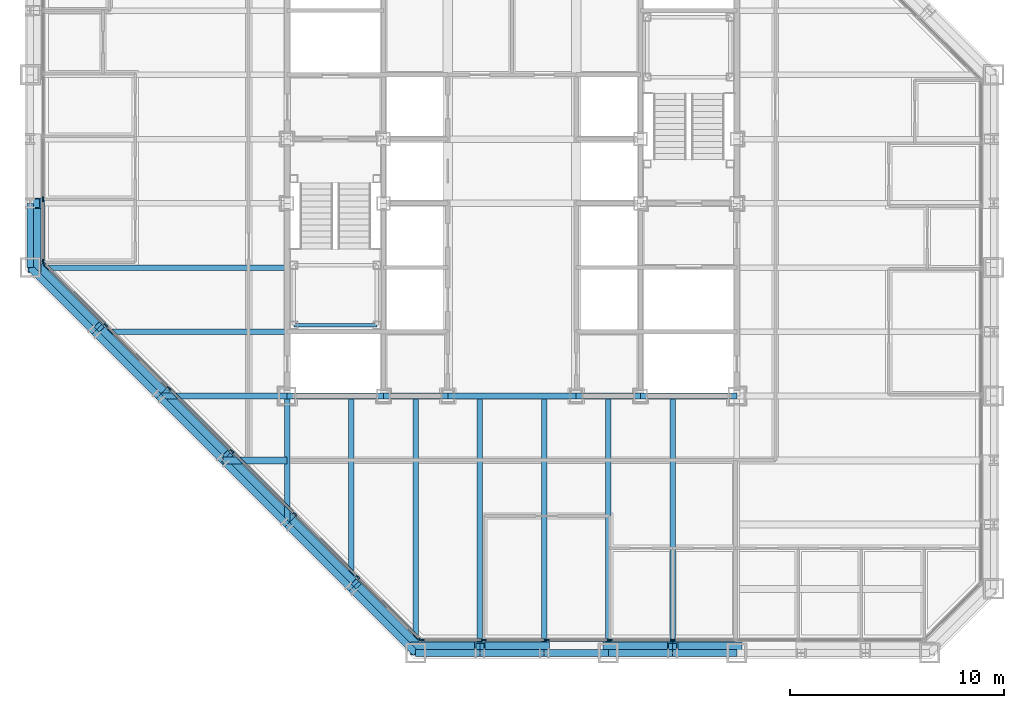
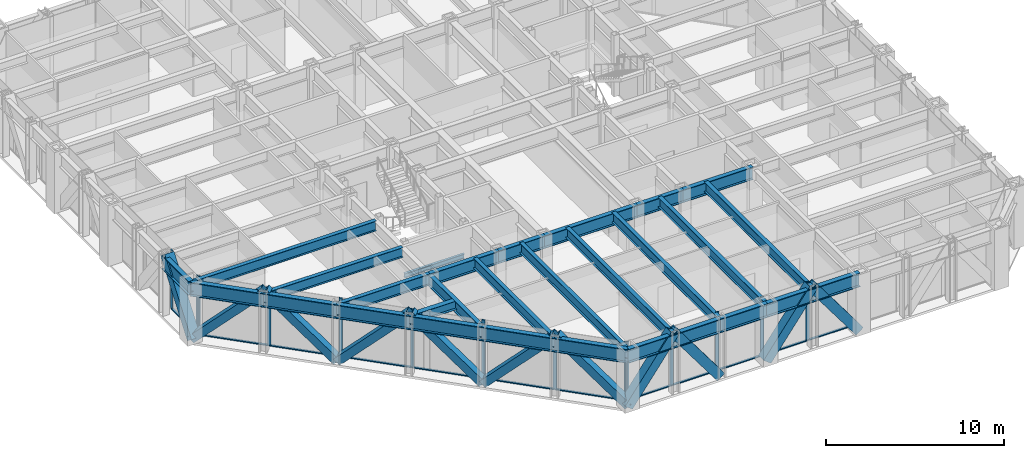
# One storey, part 4 of 16: 37 members, 29 beams, 3 elements without a shape of their own.
"""IFC4 building model written with IfcOpenShell, lengths in metres."""

from ifc_helpers import new_model, si_unit, direction, frame, origin, origin_2d, place, context, subcontext, project, spatial, rectangle, hollow_rectangle, i_section, extrude, material, layer, layer_set, material_profile, profile_set, type_object, element, aggregate, save


model = new_model("IFC4")

# Units and contexts
model_context = context("Model", 3, precision=1e-05, world=origin(), true_north=direction((0.0, 1.0)))
body_context = subcontext(model_context, "Body", "Model", "MODEL_VIEW")
ifc_project = project(units=[si_unit("LENGTHUNIT", "METRE"), si_unit("AREAUNIT", "SQUARE_METRE"), si_unit("VOLUMEUNIT", "CUBIC_METRE"), si_unit("PLANEANGLEUNIT", "RADIAN"), si_unit("MASSUNIT", "GRAM", prefix="KILO")], contexts=[model_context])

# Site, building, storey
site_placement = place(None, origin())
site = spatial("IfcSite", under=ifc_project, at=site_placement, CompositionType="ELEMENT")
building_placement = place(site_placement, origin())
building = spatial("IfcBuilding", under=site, at=building_placement, Name="Chuquiago Exchange Tower", CompositionType="ELEMENT")
storey_placement = place(building_placement, frame((0.0, 0.0, 161.39990234375)))
storey = spatial("IfcBuildingStorey", under=building, at=storey_placement, Name="L35", CompositionType="ELEMENT", Elevation=161.39990234375)

# Beams
ifc_material_1 = material(Name="Steel ASTM A992", Category="steel")
ifc_material_profile_1 = material_profile(ifc_material_1, i_section(OverallWidth=0.25390625, OverallDepth=0.683349609375, WebThickness=0.012451171875, FlangeThickness=0.018798828125, at=origin_2d()), Name="W27X94")
ifc_profile_set_1 = profile_set([ifc_material_profile_1], Name="Steel ASTM A992")
beam_type_1 = type_object("IfcBeamType", Name="B1 W27X94", PredefinedType="BEAM", material=ifc_profile_set_1)
beam_1_placement = place(storey_placement, frame((15.0, 12.0, 3.698486328125), z_axis=(0.0, -1.0, 0.0), x_axis=(1.0, 0.0, 0.0)))
element("IfcBeam", 1, at=beam_1_placement, inside=storey, type_object=beam_type_1, Name="FB-L36-infill-15_12-15_3-0", PredefinedType="BEAM", context=body_context, shape_type="SweptSolid", body=[
    extrude(i_section(OverallWidth=0.25390625, OverallDepth=0.683349609375, WebThickness=0.012451171875, FlangeThickness=0.018798828125, at=origin_2d()), origin(), (0.0, 0.0, 1.0), 9.0),
])
for number, where, z_axis, x_axis, name in (
    (2, (18.0, 12.0, 3.698486328125), (0.0, -1.0, 0.0), (1.0, 0.0, 0.0), "FB-L36-infill-18_12-18_-0-0"),
    (3, (21.0, 12.0, 3.698486328125), (0.0, -1.0, 0.0), (1.0, 0.0, 0.0), "FB-L36-infill-21_12-21_-0-0"),
    (4, (24.0, 12.0, 3.698486328125), (0.0, -1.0, 0.0), (1.0, 0.0, 0.0), "FB-L36-infill-24_12-24_-0-0"),
    (5, (27.0, 12.0, 3.698486328125), (0.0, -1.0, 0.0), (1.0, 0.0, 0.0), "FB-L36-infill-27_12-27_-0-0"),
    (6, (30.0, 12.0, 3.698486328125), (0.0, -1.0, 0.0), (1.0, 0.0, 0.0), "FB-L36-infill-30_12-30_-0-0"),
):
    element("IfcBeam", number, at=place(storey_placement, frame(where, z_axis=z_axis, x_axis=x_axis)), inside=storey, type_object=beam_type_1, Name=name, PredefinedType="BEAM", context=body_context, shape_type="SweptSolid", body=[
        extrude(i_section(OverallWidth=0.25390625, OverallDepth=0.683349609375, WebThickness=0.012451171875, FlangeThickness=0.018798828125, at=origin_2d()), origin(), (0.0, 0.0, 1.0), 12.0),
    ])
beam_2_placement = place(storey_placement, frame((12.0, 15.0, 3.698486328125), z_axis=(-1.0, 0.0, 0.0), x_axis=(0.0, -1.0, 0.0)))
element("IfcBeam", 7, at=beam_2_placement, inside=storey, type_object=beam_type_1, Name="FB-L36-infill-12_15-3_15-0", PredefinedType="BEAM", context=body_context, shape_type="SweptSolid", body=[
    extrude(i_section(OverallWidth=0.25390625, OverallDepth=0.683349609375, WebThickness=0.012451171875, FlangeThickness=0.018798828125, at=origin_2d()), origin(), (0.0, 0.0, 1.0), 9.0),
])
beam_3_placement = place(storey_placement, frame((12.0, 18.0, 3.698486328125), z_axis=(-1.0, 0.0, 0.0), x_axis=(0.0, -1.0, 0.0)))
element("IfcBeam", 8, at=beam_3_placement, inside=storey, type_object=beam_type_1, Name="FB-L36-infill-12_18--0_18-0", PredefinedType="BEAM", context=body_context, shape_type="SweptSolid", body=[
    extrude(i_section(OverallWidth=0.25390625, OverallDepth=0.683349609375, WebThickness=0.012451171875, FlangeThickness=0.018798828125, at=origin_2d()), origin(), (0.0, 0.0, 1.0), 12.0),
])
ifc_material_2 = material(Name="Steel ASTM A992", Category="steel")
ifc_material_profile_2 = material_profile(ifc_material_2, i_section(OverallWidth=0.3251953125, OverallDepth=0.612060546875, WebThickness=0.0126953125, FlangeThickness=0.01904296875, at=origin_2d()), Name="W24X104")
ifc_profile_set_2 = profile_set([ifc_material_profile_2], Name="Steel ASTM A992")
beam_type_2 = type_object("IfcBeamType", Name="B2 W24X104", PredefinedType="BEAM", material=ifc_profile_set_2)
beam_4_placement = place(storey_placement, frame((12.0, 9.0, 3.73388671875), z_axis=(-1.0, 0.0, 0.0), x_axis=(0.0, -1.0, 0.0)))
element("IfcBeam", 9, at=beam_4_placement, inside=storey, type_object=beam_type_2, Name="FB-L36-corner-12_9-9_9-0", PredefinedType="BEAM", context=body_context, shape_type="SweptSolid", body=[
    extrude(i_section(OverallWidth=0.3251953125, OverallDepth=0.612060546875, WebThickness=0.0126953125, FlangeThickness=0.01904296875, at=origin_2d()), origin(), (0.0, 0.0, 1.0), 3.0),
])
ifc_material_3 = material(Name="Steel ASTM A992", Category="steel")
ifc_material_profile_3 = material_profile(ifc_material_3, i_section(OverallWidth=0.2919921875, OverallDepth=0.8583984375, WebThickness=0.01708984375, FlangeThickness=0.031005859375, at=origin_2d()), Name="W33X169")
ifc_profile_set_3 = profile_set([ifc_material_profile_3], Name="Steel ASTM A992")
beam_type_3 = type_object("IfcBeamType", Name="B3 W33X169", PredefinedType="BEAM", material=ifc_profile_set_3)
beam_5_placement = place(storey_placement, frame((12.0, 12.0, 3.61083984375), z_axis=(1.0, 0.0, 0.0), x_axis=(0.0, 1.0, 0.0)))
element("IfcBeam", 10, at=beam_5_placement, inside=storey, type_object=beam_type_3, Name="CB-L36-12_12-16.5_12", PredefinedType="BEAM", context=body_context, shape_type="SweptSolid", body=[
    extrude(i_section(OverallWidth=0.2919921875, OverallDepth=0.8583984375, WebThickness=0.01708984375, FlangeThickness=0.031005859375, at=origin_2d()), origin(), (0.0, 0.0, 1.0), 4.5),
])
beam_6_placement = place(storey_placement, frame((16.5, 12.0, 3.61083984375), z_axis=(1.0, 0.0, 0.0), x_axis=(0.0, 1.0, 0.0)))
element("IfcBeam", 11, at=beam_6_placement, inside=storey, type_object=beam_type_3, Name="CB-L36-16.5_12-19.5_12", PredefinedType="BEAM", context=body_context, shape_type="SweptSolid", body=[
    extrude(i_section(OverallWidth=0.2919921875, OverallDepth=0.8583984375, WebThickness=0.01708984375, FlangeThickness=0.031005859375, at=origin_2d()), origin(), (0.0, 0.0, 1.0), 3.0),
])
beam_7_placement = place(storey_placement, frame((19.5, 12.0, 3.61083984375), z_axis=(1.0, 0.0, 0.0), x_axis=(0.0, 1.0, 0.0)))
element("IfcBeam", 12, at=beam_7_placement, inside=storey, type_object=beam_type_3, Name="CB-L36-19.5_12-25.5_12", PredefinedType="BEAM", context=body_context, shape_type="SweptSolid", body=[
    extrude(i_section(OverallWidth=0.2919921875, OverallDepth=0.8583984375, WebThickness=0.01708984375, FlangeThickness=0.031005859375, at=origin_2d()), origin(), (0.0, 0.0, 1.0), 6.0),
])
beam_8_placement = place(storey_placement, frame((25.5, 12.0, 3.61083984375), z_axis=(1.0, 0.0, 0.0), x_axis=(0.0, 1.0, 0.0)))
element("IfcBeam", 13, at=beam_8_placement, inside=storey, type_object=beam_type_3, Name="CB-L36-25.5_12-28.5_12", PredefinedType="BEAM", context=body_context, shape_type="SweptSolid", body=[
    extrude(i_section(OverallWidth=0.2919921875, OverallDepth=0.8583984375, WebThickness=0.01708984375, FlangeThickness=0.031005859375, at=origin_2d()), origin(), (0.0, 0.0, 1.0), 3.0),
])
beam_9_placement = place(storey_placement, frame((28.5, 12.0, 3.61083984375), z_axis=(1.0, 0.0, 0.0), x_axis=(0.0, 1.0, 0.0)))
element("IfcBeam", 14, at=beam_9_placement, inside=storey, type_object=beam_type_3, Name="CB-L36-28.5_12-33_12", PredefinedType="BEAM", context=body_context, shape_type="SweptSolid", body=[
    extrude(i_section(OverallWidth=0.2919921875, OverallDepth=0.8583984375, WebThickness=0.01708984375, FlangeThickness=0.031005859375, at=origin_2d()), origin(), (0.0, 0.0, 1.0), 4.5),
])

# Curtain wall, members
ifc_material_4 = material(Name="Aluminium curtain wall system", Category="aluminium")
ifc_layer_1 = layer(ifc_material_4, 0.22509765625)
ifc_layer_set_1 = layer_set([ifc_layer_1], Name="CW2 office curtain wall")
curtain_wall_type_1 = type_object("IfcCurtainWallType", Name="CW2 office curtain wall", PredefinedType="NOTDEFINED", material=ifc_layer_set_1)
curtain_wall_1_placement = place(storey_placement, origin())
curtain_wall_1 = element("IfcCurtainWall", 15, at=curtain_wall_1_placement, inside=storey, type_object=curtain_wall_type_1, Name="CW2 curtain wall L35", PredefinedType="NOTDEFINED")
ifc_material_5 = material(Name="Aluminium mullion, pale anodised", Category="aluminium")
ifc_material_profile_4 = material_profile(ifc_material_5, rectangle(XDim=0.06494140625, YDim=0.22509765625, at=origin_2d()), Name="AL 65x225")
ifc_profile_set_4 = profile_set([ifc_material_profile_4], Name="Aluminium mullion, pale anodised")
member_type_1 = type_object("IfcMemberType", Name="CW2-M mullion 65x225", PredefinedType="MULLION", material=ifc_profile_set_4)
member_1_placement = place(storey_placement, frame((18.281005859375, 0.60009765625, 0.0), z_axis=(0.0, 0.0, 1.0), x_axis=(0.0, 1.0, 0.0)))
member_1 = element("IfcMember", 16, at=member_1_placement, type_object=member_type_1, Name="CW2 mullion 1", PredefinedType="MULLION", context=body_context, shape_type="SweptSolid", body=[
    extrude(rectangle(XDim=0.06494140625, YDim=0.22509765625, at=origin_2d()), origin(), (0.0, 0.0, 1.0), 4.0400390625),
])
member_2_placement = place(storey_placement, frame((21.186279296875, 0.60009765625, 0.0), z_axis=(0.0, 0.0, 1.0), x_axis=(0.0, 1.0, 0.0)))
member_2 = element("IfcMember", 17, at=member_2_placement, type_object=member_type_1, Name="CW2 mullion 2", PredefinedType="MULLION", context=body_context, shape_type="SweptSolid", body=[
    extrude(rectangle(XDim=0.06494140625, YDim=0.22509765625, at=origin_2d()), origin(), (0.0, 0.0, 1.0), 4.0400390625),
])
member_3_placement = place(storey_placement, frame((24.124267578125, 0.60009765625, 0.0), z_axis=(0.0, 0.0, 1.0), x_axis=(0.0, 1.0, 0.0)))
member_3 = element("IfcMember", 18, at=member_3_placement, type_object=member_type_1, Name="CW2 mullion 3", PredefinedType="MULLION", context=body_context, shape_type="SweptSolid", body=[
    extrude(rectangle(XDim=0.06494140625, YDim=0.22509765625, at=origin_2d()), origin(), (0.0, 0.0, 1.0), 4.0400390625),
])
member_4_placement = place(storey_placement, frame((27.06201171875, 0.60009765625, 0.0), z_axis=(0.0, 0.0, 1.0), x_axis=(0.0, 1.0, 0.0)))
member_4 = element("IfcMember", 19, at=member_4_placement, type_object=member_type_1, Name="CW2 mullion 4", PredefinedType="MULLION", context=body_context, shape_type="SweptSolid", body=[
    extrude(rectangle(XDim=0.06494140625, YDim=0.22509765625, at=origin_2d()), origin(), (0.0, 0.0, 1.0), 4.0400390625),
])
member_5_placement = place(storey_placement, frame((30.0, 0.60009765625, 0.0), z_axis=(0.0, 0.0, 1.0), x_axis=(0.0, 1.0, 0.0)))
member_5 = element("IfcMember", 20, at=member_5_placement, type_object=member_type_1, Name="CW2 mullion 5", PredefinedType="MULLION", context=body_context, shape_type="SweptSolid", body=[
    extrude(rectangle(XDim=0.06494140625, YDim=0.22509765625, at=origin_2d()), origin(), (0.0, 0.0, 1.0), 4.0400390625),
])

curtain_wall_2_placement = place(storey_placement, origin())
curtain_wall_2 = element("IfcCurtainWall", 21, at=curtain_wall_2_placement, inside=storey, type_object=curtain_wall_type_1, Name="CW2 curtain wall L35", PredefinedType="NOTDEFINED")
member_6_placement = place(storey_placement, frame((0.60009765625, 21.186279296875, 0.0), z_axis=(0.0, 0.0, 1.0), x_axis=(1.0, 0.0, 0.0)))
member_6 = element("IfcMember", 22, at=member_6_placement, type_object=member_type_1, Name="CW2 mullion 8", PredefinedType="MULLION", context=body_context, shape_type="SweptSolid", body=[
    extrude(rectangle(XDim=0.06494140625, YDim=0.22509765625, at=origin_2d()), origin(), (0.0, 0.0, 1.0), 4.0400390625),
])
member_7_placement = place(storey_placement, frame((0.60009765625, 18.281005859375, 0.0), z_axis=(0.0, 0.0, 1.0), x_axis=(1.0, 0.0, 0.0)))
member_7 = element("IfcMember", 23, at=member_7_placement, type_object=member_type_1, Name="CW2 mullion 9", PredefinedType="MULLION", context=body_context, shape_type="SweptSolid", body=[
    extrude(rectangle(XDim=0.06494140625, YDim=0.22509765625, at=origin_2d()), origin(), (0.0, 0.0, 1.0), 4.0400390625),
])

# Member
ifc_material_6 = material(Name="Aluminium transom, pale anodised", Category="aluminium")
ifc_material_profile_5 = material_profile(ifc_material_6, rectangle(XDim=0.139892578125, YDim=0.06494140625, at=origin_2d()), Name="AL 140x65")
ifc_profile_set_5 = profile_set([ifc_material_profile_5], Name="Aluminium transom, pale anodised")
member_type_2 = type_object("IfcMemberType", Name="CW2-T transom 65x140", PredefinedType="MULLION", material=ifc_profile_set_5)
member_8_placement = place(storey_placement, frame((18.3134765625, 0.60009765625, 0.03271484375), z_axis=(1.0, 0.0, 0.0), x_axis=(0.0, 1.0, 0.0)))
member_8 = element("IfcMember", 24, at=member_8_placement, type_object=member_type_2, Name="CW2 transom 1.1", PredefinedType="MULLION", context=body_context, shape_type="SweptSolid", body=[
    extrude(rectangle(XDim=0.139892578125, YDim=0.06494140625, at=origin_2d()), origin(), (0.0, 0.0, 1.0), 2.84033203125),
])

member_9_placement = place(storey_placement, frame((21.218994140625, 0.60009765625, 0.03271484375), z_axis=(1.0, 0.0, 0.0), x_axis=(0.0, 1.0, 0.0)))
member_9 = element("IfcMember", 25, at=member_9_placement, type_object=member_type_2, Name="CW2 transom 2.1", PredefinedType="MULLION", context=body_context, shape_type="SweptSolid", body=[
    extrude(rectangle(XDim=0.139892578125, YDim=0.06494140625, at=origin_2d()), origin(), (0.0, 0.0, 1.0), 2.872802734375),
])

member_10_placement = place(storey_placement, frame((24.15673828125, 0.60009765625, 0.03271484375), z_axis=(1.0, 0.0, 0.0), x_axis=(0.0, 1.0, 0.0)))
member_10 = element("IfcMember", 26, at=member_10_placement, type_object=member_type_2, Name="CW2 transom 3.1", PredefinedType="MULLION", context=body_context, shape_type="SweptSolid", body=[
    extrude(rectangle(XDim=0.139892578125, YDim=0.06494140625, at=origin_2d()), origin(), (0.0, 0.0, 1.0), 2.872802734375),
])

member_11_placement = place(storey_placement, frame((27.0947265625, 0.60009765625, 0.03271484375), z_axis=(1.0, 0.0, 0.0), x_axis=(0.0, 1.0, 0.0)))
member_11 = element("IfcMember", 27, at=member_11_placement, type_object=member_type_2, Name="CW2 transom 4.1", PredefinedType="MULLION", context=body_context, shape_type="SweptSolid", body=[
    extrude(rectangle(XDim=0.139892578125, YDim=0.06494140625, at=origin_2d()), origin(), (0.0, 0.0, 1.0), 2.872802734375),
])

member_12_placement = place(storey_placement, frame((30.032470703125, 0.60009765625, 0.03271484375), z_axis=(1.0, 0.0, 0.0), x_axis=(0.0, 1.0, 0.0)))
member_12 = element("IfcMember", 28, at=member_12_placement, type_object=member_type_2, Name="CW2 transom 5.1", PredefinedType="MULLION", context=body_context, shape_type="SweptSolid", body=[
    extrude(rectangle(XDim=0.139892578125, YDim=0.06494140625, at=origin_2d()), origin(), (0.0, 0.0, 1.0), 2.872802734375),
])

aggregate(curtain_wall_1, [member_1, member_2, member_3, member_4, member_5, member_8, member_9, member_10, member_11, member_12])

member_13_placement = place(storey_placement, frame((0.60009765625, 21.15380859375, 0.03271484375), z_axis=(0.0, -1.0, 0.0), x_axis=(1.0, 0.0, 0.0)))
member_13 = element("IfcMember", 29, at=member_13_placement, type_object=member_type_2, Name="CW2 transom 8.1", PredefinedType="MULLION", context=body_context, shape_type="SweptSolid", body=[
    extrude(rectangle(XDim=0.139892578125, YDim=0.06494140625, at=origin_2d()), origin(), (0.0, 0.0, 1.0), 2.84033203125),
])

aggregate(curtain_wall_2, [member_6, member_7, member_13])

# Curtain wall, members
ifc_material_7 = material(Name="Aluminium curtain wall system", Category="aluminium")
ifc_layer_2 = layer(ifc_material_7, 0.199951171875)
ifc_layer_set_2 = layer_set([ifc_layer_2], Name="CW3 facet curtain wall")
curtain_wall_type_2 = type_object("IfcCurtainWallType", Name="CW3 facet curtain wall", PredefinedType="NOTDEFINED", material=ifc_layer_set_2)
curtain_wall_3_placement = place(storey_placement, origin())
curtain_wall_3 = element("IfcCurtainWall", 30, at=curtain_wall_3_placement, inside=storey, type_object=curtain_wall_type_2, Name="CW3 curtain wall L35", PredefinedType="NOTDEFINED")
ifc_material_8 = material(Name="Aluminium mullion, pale anodised", Category="aluminium")
ifc_material_profile_6 = material_profile(ifc_material_8, rectangle(XDim=0.06494140625, YDim=0.199951171875, at=origin_2d()), Name="AL 65x200")
ifc_profile_set_6 = profile_set([ifc_material_profile_6], Name="Aluminium mullion, pale anodised")
member_type_3 = type_object("IfcMemberType", Name="CW3-M mullion 65x200", PredefinedType="MULLION", material=ifc_profile_set_6)
member_14_placement = place(storey_placement, frame((0.623046875, 18.2255859375, 0.0), z_axis=(0.0, 0.0, 1.0), x_axis=(0.707106781187, 0.707106781187, 0.0)))
member_14 = element("IfcMember", 31, at=member_14_placement, type_object=member_type_3, Name="CW3 mullion 1", PredefinedType="MULLION", context=body_context, shape_type="SweptSolid", body=[
    extrude(rectangle(XDim=0.06494140625, YDim=0.199951171875, at=origin_2d()), origin(), (0.0, 0.0, 1.0), 4.0400390625),
])
member_15_placement = place(storey_placement, frame((3.54150390625, 15.30712890625, 0.0), z_axis=(0.0, 0.0, 1.0), x_axis=(0.707106781187, 0.707106781187, 0.0)))
member_15 = element("IfcMember", 32, at=member_15_placement, type_object=member_type_3, Name="CW3 mullion 2", PredefinedType="MULLION", context=body_context, shape_type="SweptSolid", body=[
    extrude(rectangle(XDim=0.06494140625, YDim=0.199951171875, at=origin_2d()), origin(), (0.0, 0.0, 1.0), 4.0400390625),
])
member_16_placement = place(storey_placement, frame((6.48291015625, 12.36572265625, 0.0), z_axis=(0.0, 0.0, 1.0), x_axis=(0.707106781187, 0.707106781187, 0.0)))
member_16 = element("IfcMember", 33, at=member_16_placement, type_object=member_type_3, Name="CW3 mullion 3", PredefinedType="MULLION", context=body_context, shape_type="SweptSolid", body=[
    extrude(rectangle(XDim=0.06494140625, YDim=0.199951171875, at=origin_2d()), origin(), (0.0, 0.0, 1.0), 4.0400390625),
])
member_17_placement = place(storey_placement, frame((9.42431640625, 9.42431640625, 0.0), z_axis=(0.0, 0.0, 1.0), x_axis=(0.707106781187, 0.707106781187, 0.0)))
member_17 = element("IfcMember", 34, at=member_17_placement, type_object=member_type_3, Name="CW3 mullion 4", PredefinedType="MULLION", context=body_context, shape_type="SweptSolid", body=[
    extrude(rectangle(XDim=0.06494140625, YDim=0.199951171875, at=origin_2d()), origin(), (0.0, 0.0, 1.0), 4.0400390625),
])
member_18_placement = place(storey_placement, frame((12.36572265625, 6.48291015625, 0.0), z_axis=(0.0, 0.0, 1.0), x_axis=(0.707106781187, 0.707106781187, 0.0)))
member_18 = element("IfcMember", 35, at=member_18_placement, type_object=member_type_3, Name="CW3 mullion 5", PredefinedType="MULLION", context=body_context, shape_type="SweptSolid", body=[
    extrude(rectangle(XDim=0.06494140625, YDim=0.199951171875, at=origin_2d()), origin(), (0.0, 0.0, 1.0), 4.0400390625),
])
member_19_placement = place(storey_placement, frame((15.30712890625, 3.54150390625, 0.0), z_axis=(0.0, 0.0, 1.0), x_axis=(0.707106781187, 0.707106781187, 0.0)))
member_19 = element("IfcMember", 36, at=member_19_placement, type_object=member_type_3, Name="CW3 mullion 6", PredefinedType="MULLION", context=body_context, shape_type="SweptSolid", body=[
    extrude(rectangle(XDim=0.06494140625, YDim=0.199951171875, at=origin_2d()), origin(), (0.0, 0.0, 1.0), 4.0400390625),
])
member_20_placement = place(storey_placement, frame((18.2255859375, 0.623046875, 0.0), z_axis=(0.0, 0.0, 1.0), x_axis=(0.707106781187, 0.707106781187, 0.0)))
member_20 = element("IfcMember", 37, at=member_20_placement, type_object=member_type_3, Name="CW3 mullion 7", PredefinedType="MULLION", context=body_context, shape_type="SweptSolid", body=[
    extrude(rectangle(XDim=0.06494140625, YDim=0.199951171875, at=origin_2d()), origin(), (0.0, 0.0, 1.0), 4.0400390625),
])
ifc_material_9 = material(Name="Aluminium transom, pale anodised", Category="aluminium")
ifc_material_profile_7 = material_profile(ifc_material_9, rectangle(XDim=0.139892578125, YDim=0.06494140625, at=origin_2d()), Name="AL 140x65")
ifc_profile_set_7 = profile_set([ifc_material_profile_7], Name="Aluminium transom, pale anodised")
member_type_4 = type_object("IfcMemberType", Name="CW3-T transom 65x140", PredefinedType="MULLION", material=ifc_profile_set_7)
member_21_placement = place(storey_placement, frame((0.64599609375, 18.20263671875, 0.03271484375), z_axis=(0.707106781187, -0.707106781187, 0.0), x_axis=(0.707106781187, 0.707106781187, 0.0)))
member_21 = element("IfcMember", 38, at=member_21_placement, type_object=member_type_4, Name="CW3 transom 1.1", PredefinedType="MULLION", context=body_context, shape_type="SweptSolid", body=[
    extrude(rectangle(XDim=0.139892578125, YDim=0.06494140625, at=origin_2d()), origin(), (0.0, 0.0, 1.0), 4.0625),
])
member_22_placement = place(storey_placement, frame((3.564453125, 15.2841796875, 0.03271484375), z_axis=(0.707106781187, -0.707106781187, 0.0), x_axis=(0.707106781187, 0.707106781187, 0.0)))
member_22 = element("IfcMember", 39, at=member_22_placement, type_object=member_type_4, Name="CW3 transom 2.1", PredefinedType="MULLION", context=body_context, shape_type="SweptSolid", body=[
    extrude(rectangle(XDim=0.139892578125, YDim=0.06494140625, at=origin_2d()), origin(), (0.0, 0.0, 1.0), 4.094970703125),
])
member_23_placement = place(storey_placement, frame((6.505859375, 12.3427734375, 0.03271484375), z_axis=(0.707106781187, -0.707106781187, 0.0), x_axis=(0.707106781187, 0.707106781187, 0.0)))
member_23 = element("IfcMember", 40, at=member_23_placement, type_object=member_type_4, Name="CW3 transom 3.1", PredefinedType="MULLION", context=body_context, shape_type="SweptSolid", body=[
    extrude(rectangle(XDim=0.139892578125, YDim=0.06494140625, at=origin_2d()), origin(), (0.0, 0.0, 1.0), 4.094970703125),
])
member_24_placement = place(storey_placement, frame((9.447265625, 9.4013671875, 0.03271484375), z_axis=(0.707106781187, -0.707106781187, 0.0), x_axis=(0.707106781187, 0.707106781187, 0.0)))
member_24 = element("IfcMember", 41, at=member_24_placement, type_object=member_type_4, Name="CW3 transom 4.1", PredefinedType="MULLION", context=body_context, shape_type="SweptSolid", body=[
    extrude(rectangle(XDim=0.139892578125, YDim=0.06494140625, at=origin_2d()), origin(), (0.0, 0.0, 1.0), 4.094970703125),
])
member_25_placement = place(storey_placement, frame((12.388671875, 6.4599609375, 0.03271484375), z_axis=(0.707106781187, -0.707106781187, 0.0), x_axis=(0.707106781187, 0.707106781187, 0.0)))
member_25 = element("IfcMember", 42, at=member_25_placement, type_object=member_type_4, Name="CW3 transom 5.1", PredefinedType="MULLION", context=body_context, shape_type="SweptSolid", body=[
    extrude(rectangle(XDim=0.139892578125, YDim=0.06494140625, at=origin_2d()), origin(), (0.0, 0.0, 1.0), 4.094970703125),
])
member_26_placement = place(storey_placement, frame((15.330078125, 3.5185546875, 0.03271484375), z_axis=(0.707106781187, -0.707106781187, 0.0), x_axis=(0.707106781187, 0.707106781187, 0.0)))
member_26 = element("IfcMember", 43, at=member_26_placement, type_object=member_type_4, Name="CW3 transom 6.1", PredefinedType="MULLION", context=body_context, shape_type="SweptSolid", body=[
    extrude(rectangle(XDim=0.139892578125, YDim=0.06494140625, at=origin_2d()), origin(), (0.0, 0.0, 1.0), 4.0625),
])
aggregate(curtain_wall_3, [member_14, member_15, member_16, member_17, member_18, member_19, member_20, member_21, member_22, member_23, member_24, member_25, member_26])

# Beams
ifc_material_10 = material(Name="Steel ASTM A992", Category="steel")
ifc_material_profile_8 = material_profile(ifc_material_10, i_section(OverallWidth=0.2666015625, OverallDepth=0.76953125, WebThickness=0.015625, FlangeThickness=0.025390625, at=origin_2d()), Name="W30X132")
ifc_profile_set_8 = profile_set([ifc_material_profile_8], Name="Steel ASTM A992")
beam_type_4 = type_object("IfcBeamType", Name="G1 W30X132", PredefinedType="BEAM", material=ifc_profile_set_8)
for number, where, z_axis, x_axis, name in (
    (44, (12.0, 12.0, 3.6552734375), (0.0, -1.0, 0.0), (1.0, 0.0, 0.0), "FB-L36-girder-12_12-12_6-0"),
    (45, (12.0, 12.0, 3.6552734375), (-1.0, 0.0, 0.0), (0.0, -1.0, 0.0), "FB-L36-girder-12_12-6_12-0"),
):
    element("IfcBeam", number, at=place(storey_placement, frame(where, z_axis=z_axis, x_axis=x_axis)), inside=storey, type_object=beam_type_4, Name=name, PredefinedType="BEAM", context=body_context, shape_type="SweptSolid", body=[
        extrude(i_section(OverallWidth=0.2666015625, OverallDepth=0.76953125, WebThickness=0.015625, FlangeThickness=0.025390625, at=origin_2d()), origin(), (0.0, 0.0, 1.0), 6.0),
    ])

# Members
ifc_material_11 = material(Name="Steel ASTM A500 Grade C", Category="steel")
ifc_material_profile_9 = material_profile(ifc_material_11, hollow_rectangle(XDim=0.508056640625, YDim=0.508056640625, WallThickness=0.017822265625, at=origin_2d()), Name="HSS20X20X3/4")
ifc_profile_set_9 = profile_set([ifc_material_profile_9], Name="Steel ASTM A500 Grade C")
member_type_5 = type_object("IfcMemberType", Name="LB1 HSS20X20X3/4", PredefinedType="BRACE", material=ifc_profile_set_9)
for number, where, z_axis, x_axis, name in (
    (46, (0.177490234375, 18.177490234375, 0.0), (0.512077265487, -0.512077265487, 0.689604051861), (0.707106781187, 0.707106781187, 0.0), "LB-L35-0_18-3_15"),
    (47, (6.177490234375, 12.177490234375, 0.0), (-0.512077265487, 0.512077265487, 0.689604051861), (-0.707106781187, -0.707106781187, 0.0), "LB-L35-3_15-6_12"),
    (48, (6.177490234375, 12.177490234375, 0.0), (0.512077265487, -0.512077265487, 0.689604051861), (0.707106781187, 0.707106781187, 0.0), "LB-L35-6_12-9_9"),
    (49, (12.177490234375, 6.177490234375, 0.0), (-0.512077265487, 0.512077265487, 0.689604051861), (-0.707106781187, -0.707106781187, 0.0), "LB-L35-9_9-12_6"),
    (50, (12.177490234375, 6.177490234375, 0.0), (0.512077265487, -0.512077265487, 0.689604051861), (0.707106781187, 0.707106781187, 0.0), "LB-L35-12_6-15_3"),
    (51, (18.177490234375, 0.177490234375, 0.0), (-0.512077265487, 0.512077265487, 0.689604051861), (-0.707106781187, -0.707106781187, 0.0), "LB-L35-15_3-18_0"),
):
    element("IfcMember", number, at=place(storey_placement, frame(where, z_axis=z_axis, x_axis=x_axis)), inside=storey, type_object=member_type_5, Name=name, PredefinedType="BRACE", context=body_context, shape_type="SweptSolid", body=[
        extrude(hollow_rectangle(XDim=0.508056640625, YDim=0.508056640625, WallThickness=0.017822265625, at=origin_2d()), origin(), (0.0, 0.0, 1.0), 5.8583984375),
    ])

# Beam
ifc_material_12 = material(Name="Steel ASTM A992", Category="steel")
ifc_material_profile_10 = material_profile(ifc_material_12, i_section(OverallWidth=0.164794921875, OverallDepth=0.309814453125, WebThickness=0.005859375, FlangeThickness=0.009765625, at=origin_2d()), Name="W12X26")
ifc_profile_set_10 = profile_set([ifc_material_profile_10], Name="Steel ASTM A992")
beam_type_5 = type_object("IfcBeamType", Name="LT1 W12X26", PredefinedType="BEAM", material=ifc_profile_set_10)
beam_10_placement = place(storey_placement, frame((12.31005859375, 15.31005859375, 1.7451171875), z_axis=(1.0, 0.0, 0.0), x_axis=(0.0, 1.0, 0.0)))
element("IfcBeam", 52, at=beam_10_placement, inside=storey, type_object=beam_type_5, Name="Stair ST1 L35 landing 1 trimmer", PredefinedType="BEAM", context=body_context, shape_type="SweptSolid", body=[
    extrude(i_section(OverallWidth=0.164794921875, OverallDepth=0.309814453125, WebThickness=0.005859375, FlangeThickness=0.009765625, at=origin_2d()), origin(), (0.0, 0.0, 1.0), 3.8798828125),
])

# Members
ifc_material_13 = material(Name="Steel ASTM A572 Grade 50", Category="steel")
ifc_material_profile_11 = material_profile(ifc_material_13, hollow_rectangle(XDim=0.60009765625, YDim=0.60009765625, WallThickness=0.06005859375, at=origin_2d()), Name="BOX600X600X60")
ifc_profile_set_11 = profile_set([ifc_material_profile_11], Name="Steel ASTM A572 Grade 50")
member_type_6 = type_object("IfcMemberType", Name="MB2 BOX600X600X60", PredefinedType="BRACE", material=ifc_profile_set_11)
for number, where, z_axis, x_axis, name in (
    (53, (18.0, 0.205078125, 0.0), (0.596173923302, 0.0, 0.802855312728), (0.0, 1.0, 0.0), "Mega diagonal L35 S face"),
    (54, (24.0, 0.205078125, 0.0), (-0.596173923302, 0.0, 0.802855312728), (0.0, -1.0, 0.0), "Mega diagonal L35 S face"),
    (55, (27.0, 0.205078125, 0.0), (0.596173923302, 0.0, 0.802855312728), (0.0, 1.0, 0.0), "Mega diagonal L35 S face"),
    (56, (33.0, 0.205078125, 0.0), (-0.596173923302, 0.0, 0.802855312728), (0.0, -1.0, 0.0), "Mega diagonal L35 S face"),
    (57, (0.205078125, 18.0, 0.0), (0.0, 0.596173923302, 0.802855312728), (-1.0, 0.0, 0.0), "Mega diagonal L35 W face"),
):
    element("IfcMember", number, at=place(storey_placement, frame(where, z_axis=z_axis, x_axis=x_axis)), inside=storey, type_object=member_type_6, Name=name, PredefinedType="BRACE", context=body_context, shape_type="SweptSolid", body=[
        extrude(hollow_rectangle(XDim=0.60009765625, YDim=0.60009765625, WallThickness=0.06005859375, at=origin_2d()), origin(), (0.0, 0.0, 1.0), 5.031982421875),
    ])

# Beams
ifc_material_14 = material(Name="Steel ASTM A992", Category="steel")
ifc_material_profile_12 = material_profile(ifc_material_14, i_section(OverallWidth=0.309814453125, OverallDepth=0.949951171875, WebThickness=0.0244140625, FlangeThickness=0.0439453125, at=origin_2d()), Name="W36X256")
ifc_profile_set_12 = profile_set([ifc_material_profile_12], Name="Steel ASTM A992")
beam_type_6 = type_object("IfcBeamType", Name="SP2 W36X256", PredefinedType="SPANDREL", material=ifc_profile_set_12)
for number, where, z_axis, x_axis, name in (
    (58, (18.0, 0.0, 3.565185546875), (1.0, 0.0, 0.0), (0.0, 1.0, 0.0), "SPB-L36-18_0-21_0"),
    (59, (21.0, 0.0, 3.565185546875), (1.0, 0.0, 0.0), (0.0, 1.0, 0.0), "SPB-L36-21_0-24_0"),
    (60, (24.0, 0.0, 3.565185546875), (1.0, 0.0, 0.0), (0.0, 1.0, 0.0), "SPB-L36-24_0-27_0"),
    (61, (27.0, 0.0, 3.565185546875), (1.0, 0.0, 0.0), (0.0, 1.0, 0.0), "SPB-L36-27_0-30_0"),
    (62, (30.0, 0.0, 3.565185546875), (1.0, 0.0, 0.0), (0.0, 1.0, 0.0), "SPB-L36-30_0-33_0"),
    (63, (0.0, 21.0, 3.565185546875), (0.0, -1.0, 0.0), (1.0, 0.0, 0.0), "SPB-L36-0_21-0_18"),
):
    element("IfcBeam", number, at=place(storey_placement, frame(where, z_axis=z_axis, x_axis=x_axis)), inside=storey, type_object=beam_type_6, Name=name, PredefinedType="SPANDREL", context=body_context, shape_type="SweptSolid", body=[
        extrude(i_section(OverallWidth=0.309814453125, OverallDepth=0.949951171875, WebThickness=0.0244140625, FlangeThickness=0.0439453125, at=origin_2d()), origin(), (0.0, 0.0, 1.0), 3.0),
    ])
for number, where, z_axis, x_axis, name in (
    (64, (0.0, 18.0, 3.565185546875), (0.707106781187, -0.707106781187, 0.0), (0.707106781187, 0.707106781187, 0.0), "SPB-L36-0_18-3_15"),
    (65, (3.0, 15.0, 3.565185546875), (0.707106781187, -0.707106781187, 0.0), (0.707106781187, 0.707106781187, 0.0), "SPB-L36-3_15-6_12"),
    (66, (6.0, 12.0, 3.565185546875), (0.707106781187, -0.707106781187, 0.0), (0.707106781187, 0.707106781187, 0.0), "SPB-L36-6_12-9_9"),
    (67, (9.0, 9.0, 3.565185546875), (0.707106781187, -0.707106781187, 0.0), (0.707106781187, 0.707106781187, 0.0), "SPB-L36-9_9-12_6"),
    (68, (12.0, 6.0, 3.565185546875), (0.707106781187, -0.707106781187, 0.0), (0.707106781187, 0.707106781187, 0.0), "SPB-L36-12_6-15_3"),
    (69, (15.0, 3.0, 3.565185546875), (0.707106781187, -0.707106781187, 0.0), (0.707106781187, 0.707106781187, 0.0), "SPB-L36-15_3-18_0"),
):
    element("IfcBeam", number, at=place(storey_placement, frame(where, z_axis=z_axis, x_axis=x_axis)), inside=storey, type_object=beam_type_6, Name=name, PredefinedType="SPANDREL", context=body_context, shape_type="SweptSolid", body=[
        extrude(i_section(OverallWidth=0.309814453125, OverallDepth=0.949951171875, WebThickness=0.0244140625, FlangeThickness=0.0439453125, at=origin_2d()), origin(), (0.0, 0.0, 1.0), 4.24267578125),
    ])

save(model, "model.ifc")
